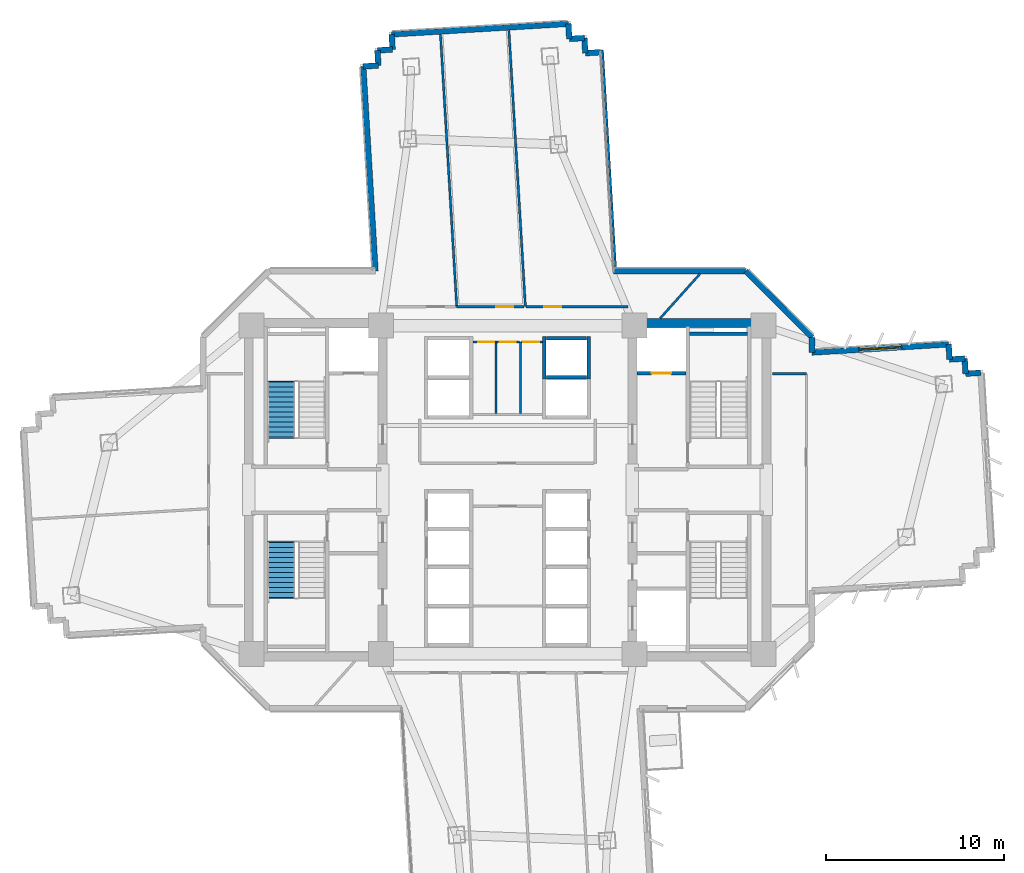
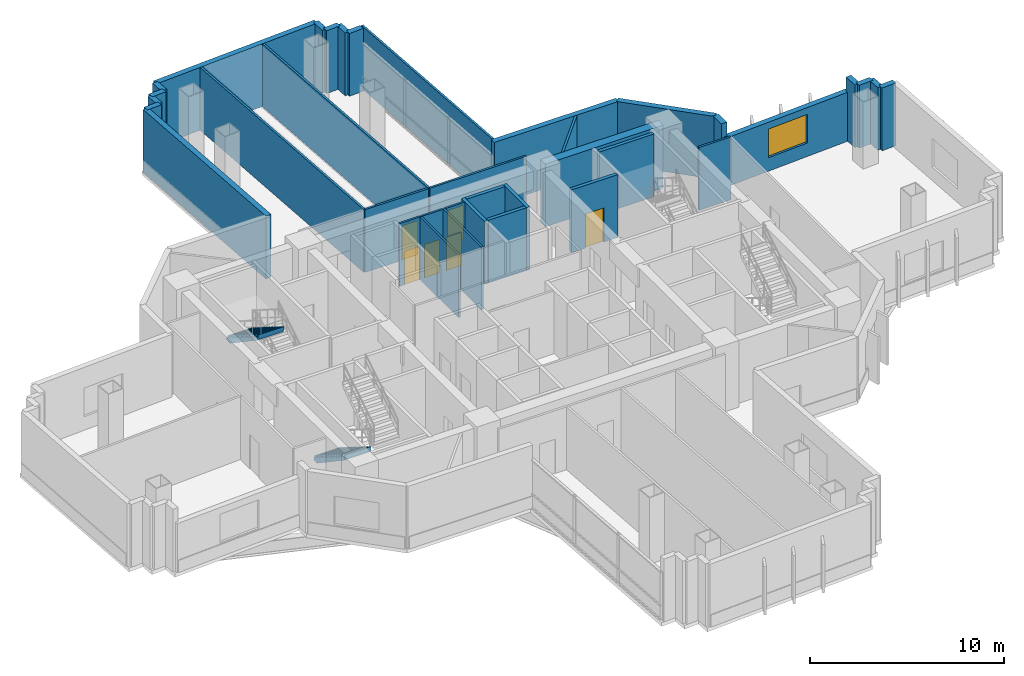
# One storey, part 9 of 15: 37 walls, 6 doors, 2 stair flights, 1 window, 7 openings, 2 elements without a shape of their own.
"""IFC4 building model written with IfcOpenShell, lengths in metres."""

from ifc_helpers import new_model, si_unit, direction, frame, frame_2d, origin, place, context, subcontext, project, spatial, polyline, rectangle, outline, extrude, source, transform, mapped, material, layer, layer_set, type_object, element, fill, aggregate, save


model = new_model("IFC4")

# Units and contexts
model_context = context("Model", 3, precision=1e-05, world=origin(), true_north=direction((0.0, 1.0)))
body_context = subcontext(model_context, "Body", "Model", "MODEL_VIEW")
ifc_project = project(units=[si_unit("LENGTHUNIT", "METRE"), si_unit("AREAUNIT", "SQUARE_METRE"), si_unit("VOLUMEUNIT", "CUBIC_METRE"), si_unit("PLANEANGLEUNIT", "RADIAN"), si_unit("MASSUNIT", "GRAM", prefix="KILO")], contexts=[model_context])

# Site, building, storey
site_placement = place(None, origin())
site = spatial("IfcSite", under=ifc_project, at=site_placement, CompositionType="ELEMENT")
building_placement = place(site_placement, origin())
building = spatial("IfcBuilding", under=site, at=building_placement, Name="Zahravan Cultural Tower", CompositionType="ELEMENT")
storey_placement = place(building_placement, frame((0.0, 0.0, 66.89990234375)))
storey = spatial("IfcBuildingStorey", under=building, at=storey_placement, Name="L14", CompositionType="ELEMENT", Elevation=66.89990234375)

# Wall, opening, window
ifc_material_1 = material(Name="Precast concrete C40/50", Category="concrete")
ifc_layer_1 = layer(ifc_material_1, 0.320068359375)
ifc_layer_set_1 = layer_set([ifc_layer_1], Name="Precast concrete C40/50")
wall_type_1 = type_object("IfcWallType", Name="EW-TC-320", PredefinedType="SOLIDWALL", material=ifc_layer_set_1)
wall_1_placement = place(storey_placement, frame((53.06005859375, 34.69140625, 0.0), z_axis=(0.0, 0.0, 1.0), x_axis=(0.998218176762, 0.059669687296, 0.0)))
wall_1 = element("IfcWall", 1, at=wall_1_placement, inside=storey, type_object=wall_type_1, Name="L14 Exterior Masonry Frame Wall 01", PredefinedType="SOLIDWALL", context=body_context, shape_type="SweptSolid", body=[
    extrude(rectangle(XDim=7.671630859375, YDim=0.320068359375, at=frame_2d((3.8359375, 0.0))), origin(), (0.0, 0.0, 1.0), 3.080078125),
])
opening_1_placement = place(wall_1_placement, frame((2.635986328125, 0.0, 0.85009765625)))
opening_1 = element("IfcOpeningElement", 2, at=opening_1_placement, cuts=wall_1, Name="Opening WN-01", PredefinedType="OPENING", context=body_context, shape_type="SweptSolid", body=[
    extrude(rectangle(XDim=2.39990234375, YDim=1.800048828125, at=frame_2d((1.199951171875, 0.89990234375))), frame((0.0, 0.169921875, 0.0), z_axis=(0.0, -1.0, 0.0), x_axis=(1.0, 0.0, 0.0)), (0.0, 0.0, 1.0), 0.340087890625),
])
ifc_material_2 = material(Name="Low-E solar-control double glazing", Category="glass")
window_type = type_object("IfcWindowType", Name="WN-REC-2400X1800", PartitioningType="DOUBLE_PANEL_VERTICAL", PredefinedType="WINDOW", material=ifc_material_2)
shared_shape_1 = source(origin(), body_context, "Body", "SweptSolid", [
    extrude(rectangle(XDim=2.39990234375, YDim=1.800048828125, at=frame_2d((1.199951171875, 0.89990234375))), frame((0.0, 0.030029296875, 0.0), z_axis=(0.0, -1.0, 0.0), x_axis=(1.0, 0.0, 0.0)), (0.0, 0.0, 1.0), 0.06005859375),
])
window_placement = place(opening_1_placement, origin())
window = element("IfcWindow", 3, at=window_placement, inside=storey, type_object=window_type, Name="L14 Recessed Solar Window 01", OverallHeight=1.800048828125, OverallWidth=2.39990234375, PartitioningType="DOUBLE_PANEL_VERTICAL", PredefinedType="WINDOW", context=body_context, shape_type="MappedRepresentation", body=[
    mapped(shared_shape_1, transform((0.0, 0.0, 0.0), x_axis=(1.0, 0.0, 0.0), y_axis=(0.0, 1.0, 0.0), z_axis=(0.0, 0.0, 1.0), scale=1.0)),
])
fill(opening_1, window)

# Wall, opening, door
ifc_material_3 = material(Name="Gypsum plasterboard partition")
ifc_layer_2 = layer(ifc_material_3, 0.125)
ifc_layer_set_2 = layer_set([ifc_layer_2], Name="Gypsum plasterboard partition")
wall_type_2 = type_object("IfcWallType", Name="W-PART-125", PredefinedType="PARTITIONING", material=ifc_layer_set_2)
wall_2_placement = place(storey_placement, frame((36.93212890625, 37.260009765625, 0.0), z_axis=(0.0, 0.0, 1.0), x_axis=(-1.0, 0.0, 0.0)))
wall_2 = element("IfcWall", 4, at=wall_2_placement, inside=storey, type_object=wall_type_2, Name="L14 Interior Wall 085", PredefinedType="PARTITIONING", context=body_context, shape_type="SweptSolid", body=[
    extrude(rectangle(XDim=3.779296875, YDim=0.125, at=frame_2d((1.8896484375, 0.0))), origin(), (0.0, 0.0, 1.0), 3.9501953125),
])
opening_2_placement = place(wall_2_placement, frame((0.622314453125, 0.0, 0.0)))
opening_2 = element("IfcOpeningElement", 5, at=opening_2_placement, cuts=wall_2, Name="Opening D-L14-18", PredefinedType="OPENING", context=body_context, shape_type="SweptSolid", body=[
    extrude(rectangle(XDim=0.949951171875, YDim=2.14990234375, at=frame_2d((0.47509765625, 1.074951171875))), frame((0.0, 0.072509765625, 0.0), z_axis=(0.0, -1.0, 0.0), x_axis=(1.0, 0.0, 0.0)), (0.0, 0.0, 1.0), 0.14501953125),
])
ifc_material_4 = material(Name="Anodised bronze-aluminium mullion", Category="aluminium")
door_type_1 = type_object("IfcDoorType", Name="DR-ROOM-950", OperationType="NOTDEFINED", PredefinedType="DOOR", material=ifc_material_4)
shared_shape_2 = source(origin(), body_context, "Body", "SweptSolid", [
    extrude(rectangle(XDim=0.949951171875, YDim=2.14990234375, at=frame_2d((0.47509765625, 1.074951171875))), frame((0.0, 0.02490234375, 0.0), z_axis=(0.0, -1.0, 0.0), x_axis=(1.0, 0.0, 0.0)), (0.0, 0.0, 1.0), 0.050048828125),
])
door_1_placement = place(opening_2_placement, origin())
door_1 = element("IfcDoor", 6, at=door_1_placement, inside=storey, type_object=door_type_1, Name="L14 Door D-L14-18", OperationType="SINGLE_SWING_LEFT", OverallHeight=2.14990234375, OverallWidth=0.949951171875, PredefinedType="DOOR", context=body_context, shape_type="MappedRepresentation", body=[
    mapped(shared_shape_2, transform((0.0, 0.0, 0.0), x_axis=(1.0, 0.0, 0.0), y_axis=(0.0, 1.0, 0.0), z_axis=(0.0, 0.0, 1.0), scale=1.0)),
])
fill(opening_2, door_1)

wall_3_placement = place(storey_placement, frame((42.742431640625, 37.259765625, 0.0), z_axis=(0.0, 0.0, 1.0), x_axis=(-0.99999999909, 4.2662116e-05, 0.0)))
wall_3 = element("IfcWall", 7, at=wall_3_placement, inside=storey, type_object=wall_type_2, Name="L14 Interior Wall 099", PredefinedType="PARTITIONING", context=body_context, shape_type="SweptSolid", body=[
    extrude(rectangle(XDim=5.72265625, YDim=0.125, at=frame_2d((2.861328125, 0.0))), origin(), (0.0, 0.0, 1.0), 3.9501953125),
])
opening_3_placement = place(wall_3_placement, frame((3.72265625, 0.0, 0.0)))
opening_3 = element("IfcOpeningElement", 8, at=opening_3_placement, cuts=wall_3, Name="Opening D-L14-17", PredefinedType="OPENING", context=body_context, shape_type="SweptSolid", body=[
    extrude(rectangle(XDim=0.949951171875, YDim=2.14990234375, at=frame_2d((0.47509765625, 1.074951171875))), frame((0.0, 0.072509765625, 0.0), z_axis=(0.0, -1.0, 0.0), x_axis=(1.0, 0.0, 0.0)), (0.0, 0.0, 1.0), 0.14501953125),
])
door_2_placement = place(opening_3_placement, origin())
door_2 = element("IfcDoor", 9, at=door_2_placement, inside=storey, type_object=door_type_1, Name="L14 Door D-L14-17", OperationType="SINGLE_SWING_RIGHT", OverallHeight=2.14990234375, OverallWidth=0.949951171875, PredefinedType="DOOR", context=body_context, shape_type="MappedRepresentation", body=[
    mapped(shared_shape_2, transform((0.0, 0.0, 0.0), x_axis=(1.0, 0.0, 0.0), y_axis=(0.0, 1.0, 0.0), z_axis=(0.0, 0.0, 1.0), scale=1.0)),
])
fill(opening_3, door_2)

ifc_material_5 = material(Name="Concrete C45/55", Category="concrete")
ifc_layer_3 = layer(ifc_material_5, 0.199951171875)
ifc_layer_set_3 = layer_set([ifc_layer_3], Name="Concrete C45/55")
wall_type_3 = type_object("IfcWallType", Name="W-SHAFT-200", PredefinedType="SOLIDWALL", material=ifc_layer_set_3)
wall_4_placement = place(storey_placement, frame((43.25, 33.52001953125, 0.0), z_axis=(0.0, 0.0, 1.0), x_axis=(1.0, 0.0, 0.0)))
wall_4 = element("IfcWall", 10, at=wall_4_placement, inside=storey, type_object=wall_type_3, Name="L14 Interior Wall 022", PredefinedType="SOLIDWALL", context=body_context, shape_type="SweptSolid", body=[
    extrude(rectangle(XDim=2.75, YDim=0.199951171875, at=frame_2d((1.375, 0.0))), origin(), (0.0, 0.0, 1.0), 3.9501953125),
])
opening_4_placement = place(wall_4_placement, frame((0.820068359375, 0.0, 0.0)))
opening_4 = element("IfcOpeningElement", 11, at=opening_4_placement, cuts=wall_4, Name="Opening LD-L14-02", PredefinedType="OPENING", context=body_context, shape_type="SweptSolid", body=[
    extrude(rectangle(XDim=1.10009765625, YDim=2.14990234375, at=frame_2d((0.550048828125, 1.074951171875))), frame((0.0, 0.10986328125, 0.0), z_axis=(0.0, -1.0, 0.0), x_axis=(1.0, 0.0, 0.0)), (0.0, 0.0, 1.0), 0.219970703125),
])
ifc_material_6 = material(Name="Steel ASTM A572 Grade 50", Category="steel")
door_type_2 = type_object("IfcDoorType", Name="DR-LIFT-1100", OperationType="DOUBLE_DOOR_SLIDING", PredefinedType="DOOR", material=ifc_material_6)
shared_shape_3 = source(origin(), body_context, "Body", "SweptSolid", [
    extrude(rectangle(XDim=1.10009765625, YDim=2.14990234375, at=frame_2d((0.550048828125, 1.074951171875))), frame((0.0, 0.02490234375, 0.0), z_axis=(0.0, -1.0, 0.0), x_axis=(1.0, 0.0, 0.0)), (0.0, 0.0, 1.0), 0.050048828125),
])
door_3_placement = place(opening_4_placement, origin())
door_3 = element("IfcDoor", 12, at=door_3_placement, inside=storey, type_object=door_type_2, Name="L14 Door LD-L14-02", OperationType="DOUBLE_DOOR_SLIDING", OverallHeight=2.14990234375, OverallWidth=1.10009765625, PredefinedType="DOOR", context=body_context, shape_type="MappedRepresentation", body=[
    mapped(shared_shape_3, transform((0.0, 0.0, 0.0), x_axis=(1.0, 0.0, 0.0), y_axis=(0.0, 1.0, 0.0), z_axis=(0.0, 0.0, 1.0), scale=1.0)),
])
fill(opening_4, door_3)

ifc_layer_4 = layer(ifc_material_3, 0.114990234375)
ifc_layer_set_4 = layer_set([ifc_layer_4], Name="Gypsum plasterboard partition")
wall_type_4 = type_object("IfcWallType", Name="W-WC-115", PredefinedType="PARTITIONING", material=ifc_layer_set_4)
wall_5_placement = place(storey_placement, frame((36.782470703125, 35.280029296875, 0.0), z_axis=(0.0, 0.0, 1.0), x_axis=(1.0, 0.0, 0.0)))
wall_5 = element("IfcWall", 13, at=wall_5_placement, inside=storey, type_object=wall_type_4, Name="L14 Interior Wall 068", PredefinedType="PARTITIONING", context=body_context, shape_type="SweptSolid", body=[
    extrude(rectangle(XDim=1.16259765625, YDim=0.114990234375, at=frame_2d((0.581298828125, 0.0))), origin(), (0.0, 0.0, 1.0), 3.9501953125),
])
opening_5_placement = place(wall_5_placement, frame((0.0888671875, 0.0, 0.0)))
opening_5 = element("IfcOpeningElement", 14, at=opening_5_placement, cuts=wall_5, Name="Opening D-L14-13", PredefinedType="OPENING", context=body_context, shape_type="SweptSolid", body=[
    extrude(rectangle(XDim=0.89990234375, YDim=2.10009765625, at=frame_2d((0.449951171875, 1.050048828125))), frame((0.0, 0.0673828125, 0.0), z_axis=(0.0, -1.0, 0.0), x_axis=(1.0, 0.0, 0.0)), (0.0, 0.0, 1.0), 0.135009765625),
])
door_type_3 = type_object("IfcDoorType", Name="DR-WC-900", OperationType="NOTDEFINED", PredefinedType="DOOR", material=ifc_material_4)
shared_shape_4 = source(origin(), body_context, "Body", "SweptSolid", [
    extrude(rectangle(XDim=0.89990234375, YDim=2.10009765625, at=frame_2d((0.449951171875, 1.050048828125))), frame((0.0, 0.02490234375, 0.0), z_axis=(0.0, -1.0, 0.0), x_axis=(1.0, 0.0, 0.0)), (0.0, 0.0, 1.0), 0.050048828125),
])
door_4_placement = place(opening_5_placement, origin())
door_4 = element("IfcDoor", 15, at=door_4_placement, inside=storey, type_object=door_type_3, Name="L14 Door D-L14-13", OperationType="SINGLE_SWING_RIGHT", OverallHeight=2.10009765625, OverallWidth=0.89990234375, PredefinedType="DOOR", context=body_context, shape_type="MappedRepresentation", body=[
    mapped(shared_shape_4, transform((0.0, 0.0, 0.0), x_axis=(1.0, 0.0, 0.0), y_axis=(0.0, 1.0, 0.0), z_axis=(0.0, 0.0, 1.0), scale=1.0)),
])
fill(opening_5, door_4)

wall_6_placement = place(storey_placement, frame((34.054931640625, 35.280029296875, 0.0), z_axis=(0.0, 0.0, 1.0), x_axis=(1.0, 0.0, 0.0)))
wall_6 = element("IfcWall", 16, at=wall_6_placement, inside=storey, type_object=wall_type_4, Name="L14 Interior Wall 070", PredefinedType="PARTITIONING", context=body_context, shape_type="SweptSolid", body=[
    extrude(rectangle(XDim=1.28515625, YDim=0.114990234375, at=frame_2d((0.642578125, 0.0))), origin(), (0.0, 0.0, 1.0), 3.9501953125),
])
opening_6_placement = place(wall_6_placement, frame((0.30029296875, 0.0, 0.0)))
opening_6 = element("IfcOpeningElement", 17, at=opening_6_placement, cuts=wall_6, Name="Opening D-L14-11", PredefinedType="OPENING", context=body_context, shape_type="SweptSolid", body=[
    extrude(rectangle(XDim=0.89990234375, YDim=2.10009765625, at=frame_2d((0.449951171875, 1.050048828125))), frame((0.0, 0.0673828125, 0.0), z_axis=(0.0, -1.0, 0.0), x_axis=(1.0, 0.0, 0.0)), (0.0, 0.0, 1.0), 0.135009765625),
])
door_5_placement = place(opening_6_placement, origin())
door_5 = element("IfcDoor", 18, at=door_5_placement, inside=storey, type_object=door_type_3, Name="L14 Door D-L14-11", OperationType="SINGLE_SWING_RIGHT", OverallHeight=2.10009765625, OverallWidth=0.89990234375, PredefinedType="DOOR", context=body_context, shape_type="MappedRepresentation", body=[
    mapped(shared_shape_4, transform((0.0, 0.0, 0.0), x_axis=(1.0, 0.0, 0.0), y_axis=(0.0, 1.0, 0.0), z_axis=(0.0, 0.0, 1.0), scale=1.0)),
])
fill(opening_6, door_5)

wall_7_placement = place(storey_placement, frame((35.360107421875, 35.280029296875, 0.0), z_axis=(0.0, 0.0, 1.0), x_axis=(1.0, 0.0, 0.0)))
wall_7 = element("IfcWall", 19, at=wall_7_placement, inside=storey, type_object=wall_type_4, Name="L14 Interior Wall 073", PredefinedType="PARTITIONING", context=body_context, shape_type="SweptSolid", body=[
    extrude(rectangle(XDim=1.29736328125, YDim=0.114990234375, at=frame_2d((0.648681640625, 0.0))), origin(), (0.0, 0.0, 1.0), 3.9501953125),
])
opening_7_placement = place(wall_7_placement, frame((0.19873046875, 0.0, 0.0)))
opening_7 = element("IfcOpeningElement", 20, at=opening_7_placement, cuts=wall_7, Name="Opening D-L14-12", PredefinedType="OPENING", context=body_context, shape_type="SweptSolid", body=[
    extrude(rectangle(XDim=0.89990234375, YDim=2.10009765625, at=frame_2d((0.449951171875, 1.050048828125))), frame((0.0, 0.0673828125, 0.0), z_axis=(0.0, -1.0, 0.0), x_axis=(1.0, 0.0, 0.0)), (0.0, 0.0, 1.0), 0.135009765625),
])
door_6_placement = place(opening_7_placement, origin())
door_6 = element("IfcDoor", 21, at=door_6_placement, inside=storey, type_object=door_type_3, Name="L14 Door D-L14-12", OperationType="SINGLE_SWING_LEFT", OverallHeight=2.10009765625, OverallWidth=0.89990234375, PredefinedType="DOOR", context=body_context, shape_type="MappedRepresentation", body=[
    mapped(shared_shape_4, transform((0.0, 0.0, 0.0), x_axis=(1.0, 0.0, 0.0), y_axis=(0.0, 1.0, 0.0), z_axis=(0.0, 0.0, 1.0), scale=1.0)),
])
fill(opening_7, door_6)

# Walls
ifc_material_7 = material(Name="Concrete C60/75", Category="concrete")
ifc_layer_5 = layer(ifc_material_7, 0.5)
ifc_layer_set_5 = layer_set([ifc_layer_5], Name="Concrete C60/75")
wall_type_5 = type_object("IfcWallType", Name="CW-SHEAR-500-C60", PredefinedType="SHEAR", material=ifc_layer_set_5)
shared_shape_5 = source(origin(), body_context, "Body", "SweptSolid", [
    extrude(rectangle(XDim=7.0, YDim=0.5, at=frame_2d((3.5, 0.0))), origin(), (0.0, 0.0, 1.0), 3.9501953125),
])
wall_8_placement = place(storey_placement, frame((43.25, 36.35009765625, 0.0), z_axis=(0.0, 0.0, 1.0), x_axis=(1.0, 0.0, 0.0)))
element("IfcWall", 22, at=wall_8_placement, inside=storey, type_object=wall_type_5, Name="L14 Core Shear Wall CW-E-N-L14", PredefinedType="SHEAR", context=body_context, shape_type="MappedRepresentation", body=[
    mapped(shared_shape_5, transform((0.0, 0.0, 0.0), x_axis=(1.0, 0.0, 0.0), y_axis=(0.0, 1.0, 0.0), z_axis=(0.0, 0.0, 1.0), scale=1.0)),
])
shared_shape_6 = source(origin(), body_context, "Body", "SweptSolid", [
    extrude(rectangle(XDim=0.85009765625, YDim=0.320068359375, at=frame_2d((0.425048828125, 0.0))), origin(), (0.0, 0.0, 1.0), 3.9501953125),
])
for number, where, z_axis, x_axis, name in (
    (23, (60.718017578125, 35.149169921875, 0.0), (0.0, 0.0, 1.0), (0.059445893707, -0.998231529116, 0.0), "L14 Exterior Masonry Frame Wall 02"),
    (24, (60.7685546875, 34.300537109375, 0.0), (0.0, 0.0, 1.0), (0.998214447016, 0.059732049764, 0.0), "L14 Exterior Masonry Frame Wall 03"),
    (25, (61.6171875, 34.351318359375, 0.0), (0.0, 0.0, 1.0), (0.059445893707, -0.998231529116, 0.0), "L14 Exterior Masonry Frame Wall 04"),
    (26, (61.667724609375, 33.502685546875, 0.0), (0.0, 0.0, 1.0), (0.998214447016, 0.059732049764, 0.0), "L14 Exterior Masonry Frame Wall 05"),
    (27, (39.408447265625, 53.10986328125, 0.0), (0.0, 0.0, 1.0), (0.059732049764, -0.998214447016, 0.0), "L14 Exterior Masonry Frame Wall 48"),
):
    element("IfcWall", number, at=place(storey_placement, frame(where, z_axis=z_axis, x_axis=x_axis)), inside=storey, type_object=wall_type_1, Name=name, PredefinedType="SOLIDWALL", context=body_context, shape_type="MappedRepresentation", body=[
        mapped(shared_shape_6, transform((0.0, 0.0, 0.0), x_axis=(1.0, 0.0, 0.0), y_axis=(0.0, 1.0, 0.0), z_axis=(0.0, 0.0, 1.0), scale=1.0)),
    ])
shared_shape_7 = source(origin(), body_context, "Body", "SweptSolid", [
    extrude(rectangle(XDim=0.849853515625, YDim=0.320068359375, at=frame_2d((0.4248046875, 0.0))), origin(), (0.0, 0.0, 1.0), 3.9501953125),
])
for number, where, z_axis, x_axis, name in (
    (28, (27.91064453125, 50.7197265625, 0.0), (0.0, 0.0, 1.0), (0.998213421964, 0.059749177487, 0.0), "L14 Exterior Masonry Frame Wall 43"),
    (29, (28.759033203125, 50.7705078125, 0.0), (0.0, 0.0, 1.0), (-0.059462939961, 0.998230513845, 0.0), "L14 Exterior Masonry Frame Wall 44"),
    (30, (28.70849609375, 51.618896484375, 0.0), (0.0, 0.0, 1.0), (0.998213421964, 0.059749177487, 0.0), "L14 Exterior Masonry Frame Wall 45"),
    (31, (29.556884765625, 51.669677734375, 0.0), (0.0, 0.0, 1.0), (-0.059749177487, 0.998213421964, 0.0), "L14 Exterior Masonry Frame Wall 46"),
    (32, (39.459228515625, 52.26123046875, 0.0), (0.0, 0.0, 1.0), (0.998213421964, 0.059749177487, 0.0), "L14 Exterior Masonry Frame Wall 49"),
    (33, (40.3076171875, 52.31201171875, 0.0), (0.0, 0.0, 1.0), (0.059749177487, -0.998213421964, 0.0), "L14 Exterior Masonry Frame Wall 50"),
    (34, (40.3583984375, 51.463623046875, 0.0), (0.0, 0.0, 1.0), (0.998213421964, 0.059749177487, 0.0), "L14 Exterior Masonry Frame Wall 51"),
):
    element("IfcWall", number, at=place(storey_placement, frame(where, z_axis=z_axis, x_axis=x_axis)), inside=storey, type_object=wall_type_1, Name=name, PredefinedType="SOLIDWALL", context=body_context, shape_type="MappedRepresentation", body=[
        mapped(shared_shape_7, transform((0.0, 0.0, 0.0), x_axis=(1.0, 0.0, 0.0), y_axis=(0.0, 1.0, 0.0), z_axis=(0.0, 0.0, 1.0), scale=1.0)),
    ])
shared_shape_8 = source(origin(), body_context, "Body", "SweptSolid", [
    extrude(rectangle(XDim=9.919921875, YDim=0.320068359375, at=frame_2d((4.9599609375, 0.0))), origin(), (0.0, 0.0, 1.0), 3.9501953125),
])
wall_9_placement = place(storey_placement, frame((29.506103515625, 52.51806640625, 0.0), z_axis=(0.0, 0.0, 1.0), x_axis=(0.998218942745, 0.059656871726, 0.0)))
element("IfcWall", 35, at=wall_9_placement, inside=storey, type_object=wall_type_1, Name="L14 Exterior Masonry Frame Wall 47", PredefinedType="SOLIDWALL", context=body_context, shape_type="MappedRepresentation", body=[
    mapped(shared_shape_8, transform((0.0, 0.0, 0.0), x_axis=(1.0, 0.0, 0.0), y_axis=(0.0, 1.0, 0.0), z_axis=(0.0, 0.0, 1.0), scale=1.0)),
])
shared_shape_9 = source(origin(), body_context, "Body", "SweptSolid", [
    extrude(rectangle(XDim=5.258056640625, YDim=0.320068359375, at=frame_2d((2.62890625, 0.0))), origin(), (0.0, 0.0, 1.0), 3.9501953125),
])
wall_10_placement = place(storey_placement, frame((49.342041015625, 39.260009765625, 0.0), z_axis=(0.0, 0.0, 1.0), x_axis=(0.707106781187, -0.707106781187, 0.0)))
element("IfcWall", 36, at=wall_10_placement, inside=storey, type_object=wall_type_1, Name="L14 Exterior Masonry Frame Wall 53", PredefinedType="SOLIDWALL", context=body_context, shape_type="MappedRepresentation", body=[
    mapped(shared_shape_9, transform((0.0, 0.0, 0.0), x_axis=(1.0, 0.0, 0.0), y_axis=(0.0, 1.0, 0.0), z_axis=(0.0, 0.0, 1.0), scale=1.0)),
])
shared_shape_10 = source(origin(), body_context, "Body", "SweptSolid", [
    extrude(rectangle(XDim=7.40283203125, YDim=0.320068359375, at=frame_2d((3.701416015625, 0.0))), origin(), (0.0, 0.0, 1.0), 3.9501953125),
])
wall_11_placement = place(storey_placement, frame((41.939208984375, 39.260009765625, 0.0), z_axis=(0.0, 0.0, 1.0), x_axis=(1.0, 0.0, 0.0)))
element("IfcWall", 37, at=wall_11_placement, inside=storey, type_object=wall_type_1, Name="L14 Exterior Masonry Frame Wall 52", PredefinedType="SOLIDWALL", context=body_context, shape_type="MappedRepresentation", body=[
    mapped(shared_shape_10, transform((0.0, 0.0, 0.0), x_axis=(1.0, 0.0, 0.0), y_axis=(0.0, 1.0, 0.0), z_axis=(0.0, 0.0, 1.0), scale=1.0)),
])
shared_shape_11 = source(origin(), body_context, "Body", "SweptSolid", [
    extrude(rectangle(XDim=0.8505859375, YDim=0.320068359375, at=frame_2d((0.42529296875, 0.0))), origin(), (0.0, 0.0, 1.0), 3.9501953125),
])
wall_12_placement = place(storey_placement, frame((53.06005859375, 35.5419921875, 0.0), z_axis=(0.0, 0.0, 1.0), x_axis=(0.0, -1.0, 0.0)))
element("IfcWall", 38, at=wall_12_placement, inside=storey, type_object=wall_type_1, Name="L14 Exterior Masonry Frame Wall 54", PredefinedType="SOLIDWALL", context=body_context, shape_type="MappedRepresentation", body=[
    mapped(shared_shape_11, transform((0.0, 0.0, 0.0), x_axis=(1.0, 0.0, 0.0), y_axis=(0.0, 1.0, 0.0), z_axis=(0.0, 0.0, 1.0), scale=1.0)),
])
shared_shape_12 = source(origin(), body_context, "Body", "SweptSolid", [
    extrude(rectangle(XDim=11.480224609375, YDim=0.320068359375, at=frame_2d((5.740234375, 0.0))), origin(), (0.0, 0.0, 1.0), 3.9501953125),
])
wall_13_placement = place(storey_placement, frame((28.595458984375, 39.260009765625, 0.0), z_axis=(0.0, 0.0, 1.0), x_axis=(-0.059651994121, 0.998219234235, 0.0)))
element("IfcWall", 39, at=wall_13_placement, inside=storey, type_object=wall_type_1, Name="L14 Exterior Masonry Frame Wall 42", PredefinedType="SOLIDWALL", context=body_context, shape_type="MappedRepresentation", body=[
    mapped(shared_shape_12, transform((0.0, 0.0, 0.0), x_axis=(1.0, 0.0, 0.0), y_axis=(0.0, 1.0, 0.0), z_axis=(0.0, 0.0, 1.0), scale=1.0)),
])
shared_shape_13 = source(origin(), body_context, "Body", "SweptSolid", [
    extrude(rectangle(XDim=3.25, YDim=0.199951171875, at=frame_2d((1.625, 0.0))), origin(), (0.0, 0.0, 1.0), 3.9501953125),
])
wall_14_placement = place(storey_placement, frame((46.199951171875, 35.75, 0.0), z_axis=(0.0, 0.0, 1.0), x_axis=(1.0, 0.0, 0.0)))
element("IfcWall", 40, at=wall_14_placement, inside=storey, type_object=wall_type_3, Name="L14 Interior Wall 018", PredefinedType="SOLIDWALL", context=body_context, shape_type="MappedRepresentation", body=[
    mapped(shared_shape_13, transform((0.0, 0.0, 0.0), x_axis=(1.0, 0.0, 0.0), y_axis=(0.0, 1.0, 0.0), z_axis=(0.0, 0.0, 1.0), scale=1.0)),
])
shared_shape_14 = source(origin(), body_context, "Body", "SweptSolid", [
    extrude(rectangle(XDim=2.400146484375, YDim=0.199951171875, at=frame_2d((1.2001953125, 0.0))), origin(), (0.0, 0.0, 1.0), 3.9501953125),
])
for number, where, z_axis, x_axis, name in (
    (41, (38.050048828125, 33.199951171875, 0.0), (0.0, 0.0, 1.0), (0.0, 1.0, 0.0), "L14 Interior Wall 033"),
    (42, (40.550048828125, 33.199951171875, 0.0), (0.0, 0.0, 1.0), (0.0, 1.0, 0.0), "L14 Interior Wall 034"),
):
    element("IfcWall", number, at=place(storey_placement, frame(where, z_axis=z_axis, x_axis=x_axis)), inside=storey, type_object=wall_type_3, Name=name, PredefinedType="SOLIDWALL", context=body_context, shape_type="MappedRepresentation", body=[
        mapped(shared_shape_14, transform((0.0, 0.0, 0.0), x_axis=(1.0, 0.0, 0.0), y_axis=(0.0, 1.0, 0.0), z_axis=(0.0, 0.0, 1.0), scale=1.0)),
    ])
shared_shape_15 = source(origin(), body_context, "Body", "SweptSolid", [
    extrude(rectangle(XDim=2.260009765625, YDim=0.199951171875, at=frame_2d((1.1298828125, 0.0))), origin(), (0.0, 0.0, 1.0), 3.9501953125),
])
for number, where, z_axis, x_axis, name in (
    (43, (38.169921875, 33.300048828125, 0.0), (0.0, 0.0, 1.0), (1.0, 0.0, 0.0), "L14 Interior Wall 035"),
    (44, (38.169921875, 35.5, 0.0), (0.0, 0.0, 1.0), (1.0, 0.0, 0.0), "L14 Interior Wall 036"),
):
    element("IfcWall", number, at=place(storey_placement, frame(where, z_axis=z_axis, x_axis=x_axis)), inside=storey, type_object=wall_type_3, Name=name, PredefinedType="SOLIDWALL", context=body_context, shape_type="MappedRepresentation", body=[
        mapped(shared_shape_15, transform((0.0, 0.0, 0.0), x_axis=(1.0, 0.0, 0.0), y_axis=(0.0, 1.0, 0.0), z_axis=(0.0, 0.0, 1.0), scale=1.0)),
    ])
shared_shape_16 = source(origin(), body_context, "Body", "SweptSolid", [
    extrude(rectangle(XDim=1.896728515625, YDim=0.125, at=frame_2d((0.9482421875, 0.0))), origin(), (0.0, 0.0, 1.0), 3.9501953125),
])
wall_15_placement = place(storey_placement, frame((52.747314453125, 33.497314453125, 0.0), z_axis=(0.0, 0.0, 1.0), x_axis=(-0.999999925444, -0.000386150055, 0.0)))
element("IfcWall", 45, at=wall_15_placement, inside=storey, type_object=wall_type_2, Name="L14 Interior Wall 104", PredefinedType="PARTITIONING", context=body_context, shape_type="MappedRepresentation", body=[
    mapped(shared_shape_16, transform((0.0, 0.0, 0.0), x_axis=(1.0, 0.0, 0.0), y_axis=(0.0, 1.0, 0.0), z_axis=(0.0, 0.0, 1.0), scale=1.0)),
])
shared_shape_17 = source(origin(), body_context, "Body", "SweptSolid", [
    extrude(rectangle(XDim=3.99755859375, YDim=0.114990234375, at=frame_2d((1.998779296875, 0.0))), origin(), (0.0, 0.0, 1.0), 3.9501953125),
])
wall_16_placement = place(storey_placement, frame((36.719970703125, 31.282470703125, 0.0), z_axis=(0.0, 0.0, 1.0), x_axis=(0.0, 1.0, 0.0)))
element("IfcWall", 46, at=wall_16_placement, inside=storey, type_object=wall_type_4, Name="L14 Interior Wall 067", PredefinedType="PARTITIONING", context=body_context, shape_type="MappedRepresentation", body=[
    mapped(shared_shape_17, transform((0.0, 0.0, 0.0), x_axis=(1.0, 0.0, 0.0), y_axis=(0.0, 1.0, 0.0), z_axis=(0.0, 0.0, 1.0), scale=1.0)),
])
shared_shape_18 = source(origin(), body_context, "Body", "SweptSolid", [
    extrude(rectangle(XDim=3.93505859375, YDim=0.114990234375, at=frame_2d((1.967529296875, 0.0))), origin(), (0.0, 0.0, 1.0), 3.9501953125),
])
wall_17_placement = place(storey_placement, frame((35.340087890625, 35.217529296875, 0.0), z_axis=(0.0, 0.0, 1.0), x_axis=(0.0, -1.0, 0.0)))
element("IfcWall", 47, at=wall_17_placement, inside=storey, type_object=wall_type_4, Name="L14 Interior Wall 071", PredefinedType="PARTITIONING", context=body_context, shape_type="MappedRepresentation", body=[
    mapped(shared_shape_18, transform((0.0, 0.0, 0.0), x_axis=(1.0, 0.0, 0.0), y_axis=(0.0, 1.0, 0.0), z_axis=(0.0, 0.0, 1.0), scale=1.0)),
])
shared_shape_19 = source(origin(), body_context, "Body", "SweptSolid", [
    extrude(rectangle(XDim=15.512939453125, YDim=0.125, at=frame_2d((7.75634765625, 0.0))), origin(), (0.0, 0.0, 1.0), 3.9501953125),
])
wall_18_placement = place(storey_placement, frame((36.07421875, 52.745361328125, 0.0), z_axis=(0.0, 0.0, 1.0), x_axis=(0.059662086624, -0.998218631072, 0.0)))
element("IfcWall", 48, at=wall_18_placement, inside=storey, type_object=wall_type_2, Name="L14 Interior Wall 084", PredefinedType="PARTITIONING", context=body_context, shape_type="MappedRepresentation", body=[
    mapped(shared_shape_19, transform((0.0, 0.0, 0.0), x_axis=(1.0, 0.0, 0.0), y_axis=(0.0, 1.0, 0.0), z_axis=(0.0, 0.0, 1.0), scale=1.0)),
])
shared_shape_20 = source(origin(), body_context, "Body", "SweptSolid", [
    extrude(rectangle(XDim=15.283203125, YDim=0.125, at=frame_2d((7.6416015625, 0.0))), origin(), (0.0, 0.0, 1.0), 3.9501953125),
])
wall_19_placement = place(storey_placement, frame((33.15283203125, 37.260009765625, 0.0), z_axis=(0.0, 0.0, 1.0), x_axis=(-0.059648121824, 0.99821946563, 0.0)))
element("IfcWall", 49, at=wall_19_placement, inside=storey, type_object=wall_type_2, Name="L14 Interior Wall 086", PredefinedType="PARTITIONING", context=body_context, shape_type="MappedRepresentation", body=[
    mapped(shared_shape_20, transform((0.0, 0.0, 0.0), x_axis=(1.0, 0.0, 0.0), y_axis=(0.0, 1.0, 0.0), z_axis=(0.0, 0.0, 1.0), scale=1.0)),
])
shared_shape_21 = source(origin(), body_context, "Body", "SweptSolid", [
    extrude(rectangle(XDim=3.34765625, YDim=0.125, at=frame_2d((1.673828125, 0.0))), origin(), (0.0, 0.0, 1.0), 3.9501953125),
])
wall_20_placement = place(storey_placement, frame((46.784912109375, 39.0986328125, 0.0), z_axis=(0.0, 0.0, 1.0), x_axis=(-0.667206176518, -0.74487308853, 0.0)))
element("IfcWall", 50, at=wall_20_placement, inside=storey, type_object=wall_type_2, Name="L14 Interior Wall 101", PredefinedType="PARTITIONING", context=body_context, shape_type="MappedRepresentation", body=[
    mapped(shared_shape_21, transform((0.0, 0.0, 0.0), x_axis=(1.0, 0.0, 0.0), y_axis=(0.0, 1.0, 0.0), z_axis=(0.0, 0.0, 1.0), scale=1.0)),
])
shared_shape_22 = source(origin(), body_context, "Body", "SweptSolid", [
    extrude(rectangle(XDim=12.23828125, YDim=0.125, at=frame_2d((6.119140625, 0.0))), origin(), (0.0, 0.0, 1.0), 3.9501953125),
])
wall_21_placement = place(storey_placement, frame((41.319580078125, 51.641357421875, 0.0), z_axis=(0.0, 0.0, 1.0), x_axis=(0.059807214901, -0.998209946377, 0.0)))
element("IfcWall", 51, at=wall_21_placement, inside=storey, type_object=wall_type_2, Name="L14 Interior Wall 100", PredefinedType="PARTITIONING", context=body_context, shape_type="MappedRepresentation", body=[
    mapped(shared_shape_22, transform((0.0, 0.0, 0.0), x_axis=(1.0, 0.0, 0.0), y_axis=(0.0, 1.0, 0.0), z_axis=(0.0, 0.0, 1.0), scale=1.0)),
])

# Stair, stair flight
stair_type = type_object("IfcStairType", Name="STR-DL-1550-420", PredefinedType="HALF_TURN_STAIR", material=ifc_material_5)
stair_1_placement = place(storey_placement, origin())
stair_1 = element("IfcStair", 52, at=stair_1_placement, inside=storey, type_object=stair_type, Name="L14 West Core North Exit Stair ST-W1", PredefinedType="HALF_TURN_STAIR")
stair_flight_type = type_object("IfcStairFlightType", Name="FLG-DL-1550-420", PredefinedType="STRAIGHT", material=ifc_material_5)
stair_flight_1_placement = place(storey_placement, frame((23.324951171875, 33.030029296875, 2.10009765625), z_axis=(0.0, 0.0, 1.0), x_axis=(0.0, -1.0, 0.0)))
stair_flight_1 = element("IfcStairFlight", 53, at=stair_flight_1_placement, type_object=stair_flight_type, Name="ST-W1 flight 2", NumberOfRisers=12, NumberOfTreads=11, PredefinedType="STRAIGHT", RiserHeight=0.175, TreadLength=0.28, context=body_context, shape_type="SweptSolid", body=[
    extrude(outline(polyline([(-0.06494140625, -0.139892578125), (-0.06494140625, 0.0), (0.0, 0.0), (0.0, 0.175048828125), (0.280029296875, 0.175048828125), (0.280029296875, 0.35009765625), (0.56005859375, 0.35009765625), (0.56005859375, 0.52490234375), (0.840087890625, 0.52490234375), (0.840087890625, 0.699951171875), (1.1201171875, 0.699951171875), (1.1201171875, 0.875), (1.39990234375, 0.875), (1.39990234375, 1.050048828125), (1.679931640625, 1.050048828125), (1.679931640625, 1.22509765625), (1.9599609375, 1.22509765625), (1.9599609375, 1.39990234375), (2.239990234375, 1.39990234375), (2.239990234375, 1.574951171875), (2.52001953125, 1.574951171875), (2.52001953125, 1.75), (2.800048828125, 1.75), (2.800048828125, 1.925048828125), (3.080078125, 1.925048828125), (3.080078125, 2.10009765625), (3.14501953125, 2.10009765625), (3.14501953125, 1.9501953125), (3.080078125, 1.748291015625), (0.28271484375, -0.139892578125), (-0.06494140625, -0.139892578125)])), frame((0.0, 0.77490234375, 0.0), z_axis=(0.0, -1.0, 0.0), x_axis=(1.0, 0.0, 0.0)), (0.0, 0.0, 1.0), 1.550048828125),
])
aggregate(stair_1, [stair_flight_1])

stair_2_placement = place(storey_placement, origin())
stair_2 = element("IfcStair", 54, at=stair_2_placement, inside=storey, type_object=stair_type, Name="L14 West Core South Exit Stair ST-W2", PredefinedType="HALF_TURN_STAIR")
stair_flight_2_placement = place(storey_placement, frame((23.324951171875, 24.050048828125, 0.0), z_axis=(0.0, 0.0, 1.0), x_axis=(0.0, -1.0, 0.0)))
stair_flight_2 = element("IfcStairFlight", 55, at=stair_flight_2_placement, type_object=stair_flight_type, Name="ST-W2 flight 1", NumberOfRisers=12, NumberOfTreads=11, PredefinedType="STRAIGHT", RiserHeight=0.175, TreadLength=0.28, context=body_context, shape_type="SweptSolid", body=[
    extrude(outline(polyline([(-0.06494140625, -0.139892578125), (-0.06494140625, 0.0), (0.0, 0.0), (0.0, 0.175048828125), (0.280029296875, 0.175048828125), (0.280029296875, 0.35009765625), (0.56005859375, 0.35009765625), (0.56005859375, 0.52490234375), (0.840087890625, 0.52490234375), (0.840087890625, 0.699951171875), (1.1201171875, 0.699951171875), (1.1201171875, 0.875), (1.39990234375, 0.875), (1.39990234375, 1.050048828125), (1.679931640625, 1.050048828125), (1.679931640625, 1.22509765625), (1.9599609375, 1.22509765625), (1.9599609375, 1.39990234375), (2.239990234375, 1.39990234375), (2.239990234375, 1.574951171875), (2.52001953125, 1.574951171875), (2.52001953125, 1.75), (2.800048828125, 1.75), (2.800048828125, 1.925048828125), (3.080078125, 1.925048828125), (3.080078125, 2.10009765625), (3.14501953125, 2.10009765625), (3.14501953125, 1.9501953125), (3.080078125, 1.748291015625), (0.28271484375, -0.139892578125), (-0.06494140625, -0.139892578125)])), frame((0.0, 0.77490234375, 0.0), z_axis=(0.0, -1.0, 0.0), x_axis=(1.0, 0.0, 0.0)), (0.0, 0.0, 1.0), 1.550048828125),
])
aggregate(stair_2, [stair_flight_2])

save(model, "model.ifc")
